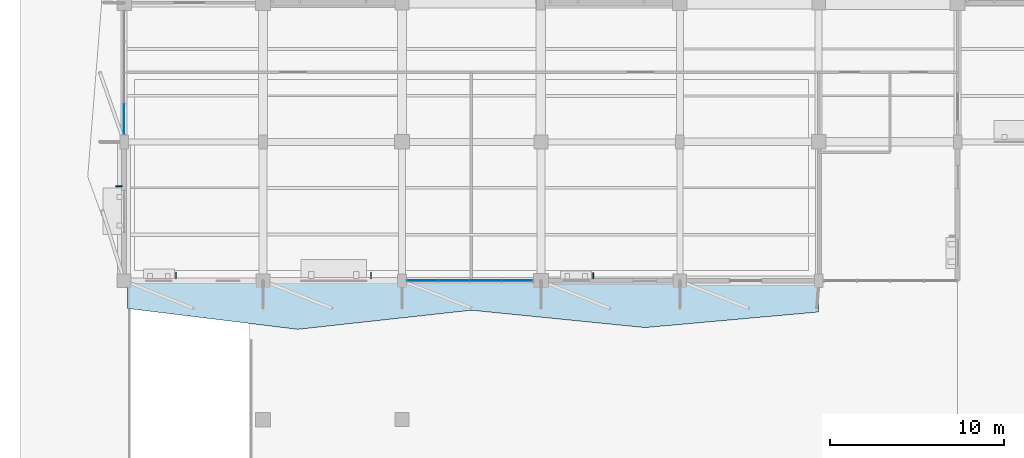
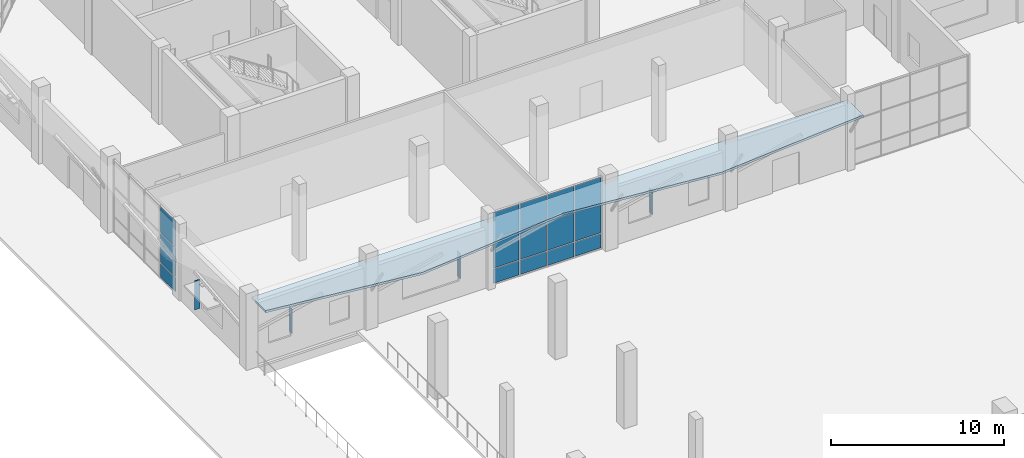
# One storey, part 74 of 123: 19 plates, 1 slab, 2 elements without a shape of their own.
"""IFC4 building model written with IfcOpenShell, lengths in metres."""

from ifc_helpers import new_model, si_unit, direction, frame, origin, origin_2d, place, context, subcontext, project, spatial, polyline, rectangle, outline, extrude, material, layer, layer_set, type_object, element, aggregate, save


model = new_model("IFC4")

# Units and contexts
model_context = context("Model", 3, precision=1e-05, world=origin(), true_north=direction((0.0, 1.0)))
body_context = subcontext(model_context, "Body", "Model", "MODEL_VIEW")
ifc_project = project(units=[si_unit("LENGTHUNIT", "METRE"), si_unit("AREAUNIT", "SQUARE_METRE"), si_unit("VOLUMEUNIT", "CUBIC_METRE"), si_unit("PLANEANGLEUNIT", "RADIAN"), si_unit("MASSUNIT", "GRAM", prefix="KILO")], contexts=[model_context])

# Site, building, storey
site_placement = place(None, origin())
site = spatial("IfcSite", under=ifc_project, at=site_placement, CompositionType="ELEMENT")
building_placement = place(site_placement, origin())
building = spatial("IfcBuilding", under=site, at=building_placement, Name="Tenunan Teduh Sports Hall", CompositionType="ELEMENT")
storey_placement = place(building_placement, origin())
storey = spatial("IfcBuildingStorey", under=building, at=storey_placement, Name="L00", CompositionType="ELEMENT", Elevation=0.0)

# Curtain wall, plates
ifc_material_1 = material(Name="Anodised aluminium", Category="aluminium")
curtain_wall_type = type_object("IfcCurtainWallType", Name="CW-UNIT-1", PredefinedType="NOTDEFINED", material=ifc_material_1)
curtain_wall_1_placement = place(storey_placement, origin())
curtain_wall_1 = element("IfcCurtainWall", 1, at=curtain_wall_1_placement, inside=storey, type_object=curtain_wall_type, Name="CW-CWM-175-L00-190", PredefinedType="NOTDEFINED")
ifc_material_2 = material(Name="Low-E laminated double glazing", Category="glass")
ifc_layer_1 = layer(ifc_material_2, 0.028076171875)
ifc_layer_set_1 = layer_set([ifc_layer_1], Name="Low-E laminated double glazing")
plate_type_1 = type_object("IfcPlateType", Name="CWP-GLZ-28", PredefinedType="CURTAIN_PANEL", material=ifc_layer_set_1)
plate_1_placement = place(storey_placement, frame((23.181884765625, 78.0, 1.13232421875), z_axis=(0.0, 0.0, 1.0), x_axis=(1.0, 0.0, 0.0)))
plate_1 = element("IfcPlate", 2, at=plate_1_placement, type_object=plate_type_1, Name="CW-01 panel 1.2", PredefinedType="CURTAIN_PANEL", context=body_context, shape_type="SweptSolid", body=[
    extrude(rectangle(XDim=1.733642578125, YDim=0.028076171875, at=origin_2d()), origin(), (0.0, 0.0, 1.0), 2.034912109375),
])
plate_2_placement = place(storey_placement, frame((23.181884765625, 78.0, 3.232421875), z_axis=(0.0, 0.0, 1.0), x_axis=(1.0, 0.0, 0.0)))
plate_2 = element("IfcPlate", 3, at=plate_2_placement, type_object=plate_type_1, Name="CW-01 panel 1.3", PredefinedType="CURTAIN_PANEL", context=body_context, shape_type="SweptSolid", body=[
    extrude(rectangle(XDim=1.733642578125, YDim=0.028076171875, at=origin_2d()), origin(), (0.0, 0.0, 1.0), 1.822509765625),
])
plate_3_placement = place(storey_placement, frame((24.996826171875, 78.0, 1.13232421875), z_axis=(0.0, 0.0, 1.0), x_axis=(1.0, 0.0, 0.0)))
plate_3 = element("IfcPlate", 4, at=plate_3_placement, type_object=plate_type_1, Name="CW-01 panel 2.2", PredefinedType="CURTAIN_PANEL", context=body_context, shape_type="SweptSolid", body=[
    extrude(rectangle(XDim=1.766357421875, YDim=0.028076171875, at=origin_2d()), origin(), (0.0, 0.0, 1.0), 2.034912109375),
])
plate_4_placement = place(storey_placement, frame((24.996826171875, 78.0, 3.232421875), z_axis=(0.0, 0.0, 1.0), x_axis=(1.0, 0.0, 0.0)))
plate_4 = element("IfcPlate", 5, at=plate_4_placement, type_object=plate_type_1, Name="CW-01 panel 2.3", PredefinedType="CURTAIN_PANEL", context=body_context, shape_type="SweptSolid", body=[
    extrude(rectangle(XDim=1.766357421875, YDim=0.028076171875, at=origin_2d()), origin(), (0.0, 0.0, 1.0), 1.822509765625),
])
plate_5_placement = place(storey_placement, frame((26.828125, 78.0, 1.13232421875), z_axis=(0.0, 0.0, 1.0), x_axis=(1.0, 0.0, 0.0)))
plate_5 = element("IfcPlate", 6, at=plate_5_placement, type_object=plate_type_1, Name="CW-01 panel 3.2", PredefinedType="CURTAIN_PANEL", context=body_context, shape_type="SweptSolid", body=[
    extrude(rectangle(XDim=1.766357421875, YDim=0.028076171875, at=origin_2d()), origin(), (0.0, 0.0, 1.0), 2.034912109375),
])
plate_6_placement = place(storey_placement, frame((26.828125, 78.0, 3.232421875), z_axis=(0.0, 0.0, 1.0), x_axis=(1.0, 0.0, 0.0)))
plate_6 = element("IfcPlate", 7, at=plate_6_placement, type_object=plate_type_1, Name="CW-01 panel 3.3", PredefinedType="CURTAIN_PANEL", context=body_context, shape_type="SweptSolid", body=[
    extrude(rectangle(XDim=1.766357421875, YDim=0.028076171875, at=origin_2d()), origin(), (0.0, 0.0, 1.0), 1.822509765625),
])
plate_7_placement = place(storey_placement, frame((28.64306640625, 78.0, 1.13232421875), z_axis=(0.0, 0.0, 1.0), x_axis=(1.0, 0.0, 0.0)))
plate_7 = element("IfcPlate", 8, at=plate_7_placement, type_object=plate_type_1, Name="CW-01 panel 4.2", PredefinedType="CURTAIN_PANEL", context=body_context, shape_type="SweptSolid", body=[
    extrude(rectangle(XDim=1.733642578125, YDim=0.028076171875, at=origin_2d()), origin(), (0.0, 0.0, 1.0), 2.034912109375),
])
plate_8_placement = place(storey_placement, frame((28.64306640625, 78.0, 3.232421875), z_axis=(0.0, 0.0, 1.0), x_axis=(1.0, 0.0, 0.0)))
plate_8 = element("IfcPlate", 9, at=plate_8_placement, type_object=plate_type_1, Name="CW-01 panel 4.3", PredefinedType="CURTAIN_PANEL", context=body_context, shape_type="SweptSolid", body=[
    extrude(rectangle(XDim=1.733642578125, YDim=0.028076171875, at=origin_2d()), origin(), (0.0, 0.0, 1.0), 1.822509765625),
])

curtain_wall_2_placement = place(storey_placement, origin())
curtain_wall_2 = element("IfcCurtainWall", 10, at=curtain_wall_2_placement, inside=storey, type_object=curtain_wall_type, Name="CW-CWM-150-L00-199", PredefinedType="NOTDEFINED")
ifc_material_3 = material(Name="Solar-control laminated glazing", Category="glass")
ifc_layer_2 = layer(ifc_material_3, 0.031982421875)
ifc_layer_set_2 = layer_set([ifc_layer_2], Name="Solar-control laminated glazing")
plate_type_2 = type_object("IfcPlateType", Name="CWP-GLZ-32", PredefinedType="CURTAIN_PANEL", material=ifc_layer_set_2)
plate_9_placement = place(storey_placement, frame((6.0, 87.311767578125, 1.1298828125), z_axis=(0.0, 0.0, 1.0), x_axis=(0.0, 1.0, 0.0)))
plate_9 = element("IfcPlate", 11, at=plate_9_placement, type_object=plate_type_2, Name="CW-01 panel 1.2", PredefinedType="CURTAIN_PANEL", context=body_context, shape_type="SweptSolid", body=[
    extrude(rectangle(XDim=1.703857421875, YDim=0.031982421875, at=origin_2d()), origin(), (0.0, 0.0, 1.0), 2.0400390625),
])
plate_10_placement = place(storey_placement, frame((6.0, 87.311767578125, 3.22998046875), z_axis=(0.0, 0.0, 1.0), x_axis=(0.0, 1.0, 0.0)))
plate_10 = element("IfcPlate", 12, at=plate_10_placement, type_object=plate_type_2, Name="CW-01 panel 1.3", PredefinedType="CURTAIN_PANEL", context=body_context, shape_type="SweptSolid", body=[
    extrude(rectangle(XDim=1.703857421875, YDim=0.031982421875, at=origin_2d()), origin(), (0.0, 0.0, 1.0), 1.830078125),
])

# Plate
ifc_material_4 = material(Name="Insulated aluminium spandrel panel", Category="aluminium")
ifc_layer_3 = layer(ifc_material_4, 0.044921875)
ifc_layer_set_3 = layer_set([ifc_layer_3], Name="Insulated aluminium spandrel panel")
plate_type_3 = type_object("IfcPlateType", Name="CWP-SPN-45", PredefinedType="CURTAIN_PANEL", material=ifc_layer_set_3)
plate_11_placement = place(storey_placement, frame((23.181884765625, 78.0, 0.06494140625), z_axis=(0.0, 0.0, 1.0), x_axis=(1.0, 0.0, 0.0)))
plate_11 = element("IfcPlate", 13, at=plate_11_placement, type_object=plate_type_3, Name="CW-01 panel 1.1", PredefinedType="CURTAIN_PANEL", context=body_context, shape_type="SweptSolid", body=[
    extrude(rectangle(XDim=1.733642578125, YDim=0.028076171875, at=origin_2d()), origin(), (0.0, 0.0, 1.0), 1.00244140625),
])

plate_12_placement = place(storey_placement, frame((24.996826171875, 78.0, 0.06494140625), z_axis=(0.0, 0.0, 1.0), x_axis=(1.0, 0.0, 0.0)))
plate_12 = element("IfcPlate", 14, at=plate_12_placement, type_object=plate_type_3, Name="CW-01 panel 2.1", PredefinedType="CURTAIN_PANEL", context=body_context, shape_type="SweptSolid", body=[
    extrude(rectangle(XDim=1.766357421875, YDim=0.028076171875, at=origin_2d()), origin(), (0.0, 0.0, 1.0), 1.00244140625),
])

plate_13_placement = place(storey_placement, frame((26.828125, 78.0, 0.06494140625), z_axis=(0.0, 0.0, 1.0), x_axis=(1.0, 0.0, 0.0)))
plate_13 = element("IfcPlate", 15, at=plate_13_placement, type_object=plate_type_3, Name="CW-01 panel 3.1", PredefinedType="CURTAIN_PANEL", context=body_context, shape_type="SweptSolid", body=[
    extrude(rectangle(XDim=1.766357421875, YDim=0.028076171875, at=origin_2d()), origin(), (0.0, 0.0, 1.0), 1.00244140625),
])

plate_14_placement = place(storey_placement, frame((28.64306640625, 78.0, 0.06494140625), z_axis=(0.0, 0.0, 1.0), x_axis=(1.0, 0.0, 0.0)))
plate_14 = element("IfcPlate", 16, at=plate_14_placement, type_object=plate_type_3, Name="CW-01 panel 4.1", PredefinedType="CURTAIN_PANEL", context=body_context, shape_type="SweptSolid", body=[
    extrude(rectangle(XDim=1.733642578125, YDim=0.028076171875, at=origin_2d()), origin(), (0.0, 0.0, 1.0), 1.00244140625),
])

aggregate(curtain_wall_1, [plate_11, plate_1, plate_2, plate_12, plate_3, plate_4, plate_13, plate_5, plate_6, plate_14, plate_7, plate_8])

plate_15_placement = place(storey_placement, frame((6.0, 87.311767578125, 0.06005859375), z_axis=(0.0, 0.0, 1.0), x_axis=(0.0, 1.0, 0.0)))
plate_15 = element("IfcPlate", 17, at=plate_15_placement, type_object=plate_type_3, Name="CW-01 panel 1.1", PredefinedType="CURTAIN_PANEL", context=body_context, shape_type="SweptSolid", body=[
    extrude(rectangle(XDim=1.703857421875, YDim=0.031982421875, at=origin_2d()), origin(), (0.0, 0.0, 1.0), 1.010009765625),
])

aggregate(curtain_wall_2, [plate_15, plate_9, plate_10])

# Plates
ifc_material_5 = material(Name="Anodised aluminium", Category="aluminium")
ifc_layer_4 = layer(ifc_material_5, 1.89990234375)
ifc_layer_set_4 = layer_set([ifc_layer_4], Name="Anodised aluminium")
plate_type_4 = type_object("IfcPlateType", Name="PLT-FIN-1", PredefinedType="SHEET", material=ifc_layer_set_4)
plate_16_placement = place(storey_placement, frame((8.989990234375, 78.304931640625, 1.080078125), z_axis=(0.0, 0.0, 1.0), x_axis=(1.0, 0.0, 0.0)))
element("IfcPlate", 18, at=plate_16_placement, inside=storey, type_object=plate_type_4, Name="PLT-FIN-L00-010", PredefinedType="SHEET", context=body_context, shape_type="SweptSolid", body=[
    extrude(rectangle(XDim=0.0400390625, YDim=0.360107421875, at=origin_2d()), origin(), (0.0, 0.0, 1.0), 1.739990234375),
])
plate_17_placement = place(storey_placement, frame((20.2099609375, 78.300048828125, 1.030029296875), z_axis=(0.0, 0.0, 1.0), x_axis=(1.0, 0.0, 0.0)))
element("IfcPlate", 19, at=plate_17_placement, inside=storey, type_object=plate_type_4, Name="PLT-FIN-L00-011", PredefinedType="SHEET", context=body_context, shape_type="SweptSolid", body=[
    extrude(rectangle(XDim=0.0400390625, YDim=0.360107421875, at=origin_2d()), origin(), (0.0, 0.0, 1.0), 1.7900390625),
])
plate_18_placement = place(storey_placement, frame((33.014892578125, 78.284912109375, 1.080078125), z_axis=(0.0, 0.0, 1.0), x_axis=(1.0, 0.0, 0.0)))
element("IfcPlate", 20, at=plate_18_placement, inside=storey, type_object=plate_type_4, Name="PLT-FIN-L00-012", PredefinedType="SHEET", context=body_context, shape_type="SweptSolid", body=[
    extrude(rectangle(XDim=0.0400390625, YDim=0.360107421875, at=origin_2d()), origin(), (0.0, 0.0, 1.0), 1.739990234375),
])
plate_19_placement = place(storey_placement, frame((5.699951171875, 83.43994140625, 0.780029296875), z_axis=(0.0, 0.0, 1.0), x_axis=(0.0, 1.0, 0.0)))
element("IfcPlate", 21, at=plate_19_placement, inside=storey, type_object=plate_type_4, Name="PLT-FIN-L00-020", PredefinedType="SHEET", context=body_context, shape_type="SweptSolid", body=[
    extrude(rectangle(XDim=0.0400390625, YDim=0.360107421875, at=origin_2d()), origin(), (0.0, 0.0, 1.0), 2.0400390625),
])

# Slab
ifc_material_6 = material(Name="Concrete C40/50", Category="concrete")
ifc_layer_5 = layer(ifc_material_6, 0.159912109375)
ifc_layer_set_5 = layer_set([ifc_layer_5], Name="Concrete C40/50")
slab_type = type_object("IfcSlabType", Name="SLB-ROOF-160", PredefinedType="ROOF", material=ifc_layer_set_5)
slab_placement = place(storey_placement, frame((0.0, 0.0, 4.590087890625)))
element("IfcSlab", 22, at=slab_placement, inside=storey, type_object=slab_type, Name="Window Head Sun-Shade Hood SHD-RIB-V5W-S-L00", PredefinedType="ROOF", context=body_context, shape_type="SweptSolid", body=[
    extrude(outline(polyline([(6.199951171875, 78.0), (46.0, 78.0), (46.0, 76.199951171875), (36.0, 75.300048828125), (26.0, 76.300048828125), (16.0, 75.199951171875), (6.199951171875, 76.39990234375), (6.199951171875, 78.0)])), origin(), (0.0, 0.0, 1.0), 0.159912109375),
])

save(model, "model.ifc")
